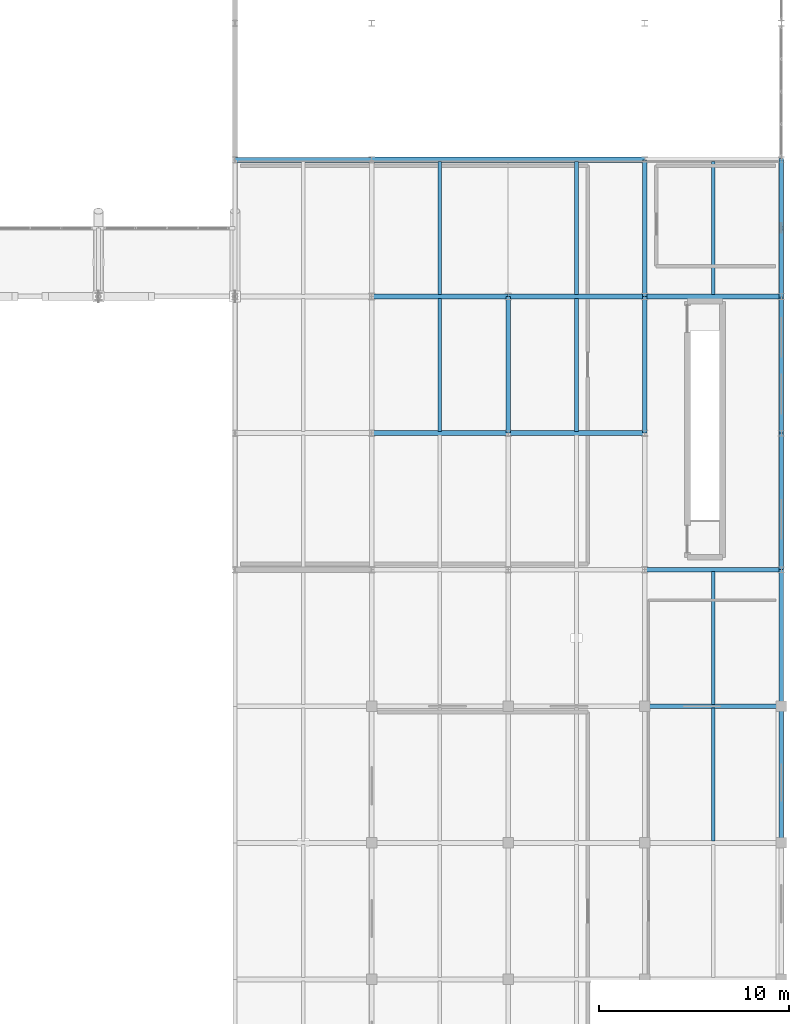
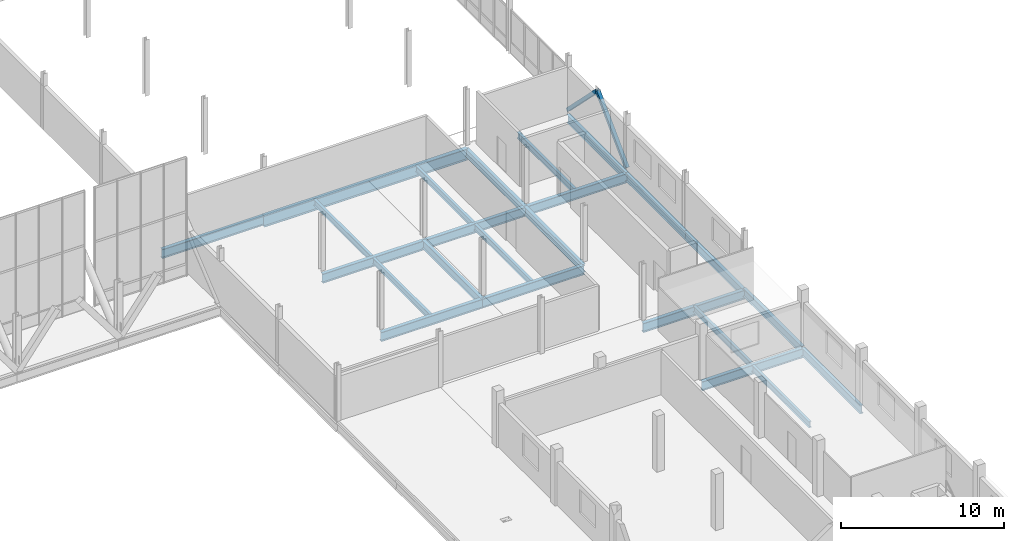
# One storey, part 55 of 102: 24 beams, 2 members.
"""IFC4 building model written with IfcOpenShell, lengths in metres."""

from ifc_helpers import new_model, si_unit, direction, frame, origin, origin_2d, place, context, subcontext, project, spatial, hollow_rectangle, i_section, extrude, material, material_profile, profile_set, type_object, element, save


model = new_model("IFC4")

# Units and contexts
model_context = context("Model", 3, precision=1e-05, world=origin(), true_north=direction((0.0, 1.0)))
body_context = subcontext(model_context, "Body", "Model", "MODEL_VIEW")
ifc_project = project(units=[si_unit("LENGTHUNIT", "METRE"), si_unit("AREAUNIT", "SQUARE_METRE"), si_unit("VOLUMEUNIT", "CUBIC_METRE"), si_unit("PLANEANGLEUNIT", "RADIAN"), si_unit("MASSUNIT", "GRAM", prefix="KILO")], contexts=[model_context])

# Site, building, storey
site_placement = place(None, origin())
site = spatial("IfcSite", under=ifc_project, at=site_placement, CompositionType="ELEMENT")
building_placement = place(site_placement, origin())
building = spatial("IfcBuilding", under=site, at=building_placement, Name="Yarey Park Central Fire Station", CompositionType="ELEMENT")
storey_placement = place(building_placement, frame((0.0, 0.0, 6.0)))
storey = spatial("IfcBuildingStorey", under=building, at=storey_placement, Name="L02", CompositionType="ELEMENT", Elevation=6.0)

# Beams
ifc_material_1 = material(Name="Steel ASTM A992 Gr. 50", Category="steel")
ifc_material_profile_1 = material_profile(ifc_material_1, i_section(OverallWidth=0.22900390625, OverallDepth=0.612060546875, WebThickness=0.011962890625, FlangeThickness=0.01953125, at=origin_2d()), Name="W610x125")
ifc_profile_set_1 = profile_set([ifc_material_profile_1], Name="Steel ASTM A992 Gr. 50")
beam_type_1 = type_object("IfcBeamType", Name="STR_BM_W610", PredefinedType="BEAM", material=ifc_profile_set_1)
for number, where, z_axis, x_axis, name in (
    (1, (151.199951171875, 50.39990234375, -0.591064453125), (0.0, 1.0, 0.0), (-1.0, 0.0, 0.0), "BMY L02 X1512 Y504"),
    (2, (158.39990234375, 50.39990234375, -0.591064453125), (0.0, 1.0, 0.0), (-1.0, 0.0, 0.0), "BMY L02 X1584 Y504"),
):
    element("IfcBeam", number, at=place(storey_placement, frame(where, z_axis=z_axis, x_axis=x_axis)), inside=storey, type_object=beam_type_1, Name=name, PredefinedType="BEAM", context=body_context, shape_type="SweptSolid", body=[
        extrude(i_section(OverallWidth=0.22900390625, OverallDepth=0.612060546875, WebThickness=0.011962890625, FlangeThickness=0.01953125, at=origin_2d()), origin(), (0.0, 0.0, 1.0), 7.2001953125),
    ])
for number, where, z_axis, x_axis, name in (
    (3, (158.39990234375, 57.60009765625, -0.591064453125), (0.0, 1.0, 0.0), (-1.0, 0.0, 0.0), "BMY L02 X1584 Y576"),
    (4, (165.60009765625, 28.800048828125, -0.591064453125), (0.0, 1.0, 0.0), (-1.0, 0.0, 0.0), "BMY L02 X1656 Y288"),
    (5, (165.60009765625, 36.0, -0.5009765625), (0.0, 1.0, 0.0), (-1.0, 0.0, 0.0), "BMY L02 X1656 Y360"),
    (6, (165.60009765625, 43.199951171875, -0.591064453125), (0.0, 1.0, 0.0), (-1.0, 0.0, 0.0), "BMY L02 X1656 Y432"),
):
    element("IfcBeam", number, at=place(storey_placement, frame(where, z_axis=z_axis, x_axis=x_axis)), inside=storey, type_object=beam_type_1, Name=name, PredefinedType="BEAM", context=body_context, shape_type="SweptSolid", body=[
        extrude(i_section(OverallWidth=0.22900390625, OverallDepth=0.612060546875, WebThickness=0.011962890625, FlangeThickness=0.01953125, at=origin_2d()), origin(), (0.0, 0.0, 1.0), 7.199951171875),
    ])
beam_1_placement = place(storey_placement, frame((165.60009765625, 50.39990234375, -0.591064453125), z_axis=(0.0, 1.0, 0.0), x_axis=(-1.0, 0.0, 0.0)))
element("IfcBeam", 7, at=beam_1_placement, inside=storey, type_object=beam_type_1, Name="BMY L02 X1656 Y504", PredefinedType="BEAM", context=body_context, shape_type="SweptSolid", body=[
    extrude(i_section(OverallWidth=0.22900390625, OverallDepth=0.612060546875, WebThickness=0.011962890625, FlangeThickness=0.01953125, at=origin_2d()), origin(), (0.0, 0.0, 1.0), 7.2001953125),
])
beam_2_placement = place(storey_placement, frame((165.60009765625, 57.60009765625, -0.591064453125), z_axis=(0.0, 1.0, 0.0), x_axis=(-1.0, 0.0, 0.0)))
element("IfcBeam", 8, at=beam_2_placement, inside=storey, type_object=beam_type_1, Name="BMY L02 X1656 Y576", PredefinedType="BEAM", context=body_context, shape_type="SweptSolid", body=[
    extrude(i_section(OverallWidth=0.22900390625, OverallDepth=0.612060546875, WebThickness=0.011962890625, FlangeThickness=0.01953125, at=origin_2d()), origin(), (0.0, 0.0, 1.0), 7.199951171875),
])
ifc_material_profile_2 = material_profile(ifc_material_1, i_section(OverallWidth=0.256103515625, OverallDepth=0.693115234375, WebThickness=0.014404296875, FlangeThickness=0.023681640625, at=origin_2d()), Name="W690x170")
ifc_profile_set_2 = profile_set([ifc_material_profile_2], Name="Steel ASTM A992 Gr. 50")
beam_type_2 = type_object("IfcBeamType", Name="STR_BM_W690", PredefinedType="BEAM", material=ifc_profile_set_2)
for number, where, z_axis, x_axis, name in (
    (9, (158.39990234375, 36.0, -0.631591796875), (1.0, 0.0, 0.0), (0.0, 1.0, 0.0), "BMX L02 Y360 X1584"),
    (10, (158.39990234375, 43.199951171875, -0.631591796875), (1.0, 0.0, 0.0), (0.0, 1.0, 0.0), "BMX L02 Y432 X1584"),
):
    element("IfcBeam", number, at=place(storey_placement, frame(where, z_axis=z_axis, x_axis=x_axis)), inside=storey, type_object=beam_type_2, Name=name, PredefinedType="BEAM", context=body_context, shape_type="SweptSolid", body=[
        extrude(i_section(OverallWidth=0.256103515625, OverallDepth=0.693115234375, WebThickness=0.014404296875, FlangeThickness=0.023681640625, at=origin_2d()), origin(), (0.0, 0.0, 1.0), 7.2001953125),
    ])
for number, where, z_axis, x_axis, name in (
    (11, (144.0, 50.39990234375, -0.631591796875), (1.0, 0.0, 0.0), (0.0, 1.0, 0.0), "BMX L02 Y504 X1440"),
    (12, (151.199951171875, 50.39990234375, -0.631591796875), (1.0, 0.0, 0.0), (0.0, 1.0, 0.0), "BMX L02 Y504 X1512"),
    (13, (144.0, 57.60009765625, -0.631591796875), (1.0, 0.0, 0.0), (0.0, 1.0, 0.0), "BMX L02 Y576 X1440"),
    (14, (151.199951171875, 57.60009765625, -0.631591796875), (1.0, 0.0, 0.0), (0.0, 1.0, 0.0), "BMX L02 Y576 X1512"),
):
    element("IfcBeam", number, at=place(storey_placement, frame(where, z_axis=z_axis, x_axis=x_axis)), inside=storey, type_object=beam_type_2, Name=name, PredefinedType="BEAM", context=body_context, shape_type="SweptSolid", body=[
        extrude(i_section(OverallWidth=0.256103515625, OverallDepth=0.693115234375, WebThickness=0.014404296875, FlangeThickness=0.023681640625, at=origin_2d()), origin(), (0.0, 0.0, 1.0), 7.199951171875),
    ])
beam_3_placement = place(storey_placement, frame((158.39990234375, 57.60009765625, -0.631591796875), z_axis=(1.0, 0.0, 0.0), x_axis=(0.0, 1.0, 0.0)))
element("IfcBeam", 15, at=beam_3_placement, inside=storey, type_object=beam_type_2, Name="BMX L02 Y576 X1584", PredefinedType="BEAM", context=body_context, shape_type="SweptSolid", body=[
    extrude(i_section(OverallWidth=0.256103515625, OverallDepth=0.693115234375, WebThickness=0.014404296875, FlangeThickness=0.023681640625, at=origin_2d()), origin(), (0.0, 0.0, 1.0), 7.2001953125),
])
beam_4_placement = place(storey_placement, frame((136.800048828125, 64.800048828125, -0.631591796875), z_axis=(1.0, 0.0, 0.0), x_axis=(0.0, 1.0, 0.0)))
element("IfcBeam", 16, at=beam_4_placement, inside=storey, type_object=beam_type_2, Name="BMX L02 Y648 X1368", PredefinedType="BEAM", context=body_context, shape_type="SweptSolid", body=[
    extrude(i_section(OverallWidth=0.256103515625, OverallDepth=0.693115234375, WebThickness=0.014404296875, FlangeThickness=0.023681640625, at=origin_2d()), origin(), (0.0, 0.0, 1.0), 7.199951171875),
])
ifc_material_profile_3 = material_profile(ifc_material_1, i_section(OverallWidth=0.2939453125, OverallDepth=0.85107421875, WebThickness=0.01611328125, FlangeThickness=0.02685546875, at=origin_2d()), Name="W840x226")
ifc_profile_set_3 = profile_set([ifc_material_profile_3], Name="Steel ASTM A992 Gr. 50")
beam_type_3 = type_object("IfcBeamType", Name="STR_BM_W840", PredefinedType="BEAM", material=ifc_profile_set_3)
beam_5_placement = place(storey_placement, frame((144.0, 64.800048828125, -0.71044921875), z_axis=(1.0, 0.0, 0.0), x_axis=(0.0, 1.0, 0.0)))
element("IfcBeam", 17, at=beam_5_placement, inside=storey, type_object=beam_type_3, Name="BMX L02 Y648 X1440", PredefinedType="BEAM", context=body_context, shape_type="SweptSolid", body=[
    extrude(i_section(OverallWidth=0.2939453125, OverallDepth=0.85107421875, WebThickness=0.01611328125, FlangeThickness=0.02685546875, at=origin_2d()), origin(), (0.0, 0.0, 1.0), 14.39990234375),
])

# Members
ifc_material_2 = material(Name="Steel ASTM A500 Gr. C", Category="steel")
ifc_material_profile_4 = material_profile(ifc_material_2, hollow_rectangle(XDim=0.25, YDim=0.25, WallThickness=0.012451171875, at=origin_2d()), Name="HSS 250x250x12.5")
ifc_profile_set_4 = profile_set([ifc_material_profile_4], Name="Steel ASTM A500 Gr. C")
member_type = type_object("IfcMemberType", Name="STR_CBF_HSS250", PredefinedType="BRACE", material=ifc_profile_set_4)
for number, where, z_axis, x_axis, name in (
    (18, (165.60009765625, 57.60009765625, 0.050048828125), (0.0, 0.707106781187, 0.707106781187), (-1.0, 0.0, 0.0), "CBF_V5_L02_57_1"),
    (19, (165.60009765625, 64.800048828125, 0.050048828125), (0.0, -0.707130757816, 0.707082803744), (1.0, 0.0, 0.0), "CBF_V5_L02_57_2"),
):
    element("IfcMember", number, at=place(storey_placement, frame(where, z_axis=z_axis, x_axis=x_axis)), inside=storey, type_object=member_type, Name=name, PredefinedType="BRACE", context=body_context, shape_type="SweptSolid", body=[
        extrude(hollow_rectangle(XDim=0.25, YDim=0.25, WallThickness=0.012451171875, at=origin_2d()), origin(), (0.0, 0.0, 1.0), 5.091064453125),
    ])

# Beams
ifc_material_profile_5 = material_profile(ifc_material_1, i_section(OverallWidth=0.18994140625, OverallDepth=0.45703125, WebThickness=0.009033203125, FlangeThickness=0.014404296875, at=origin_2d()), Name="W460x74")
ifc_profile_set_5 = profile_set([ifc_material_profile_5], Name="Steel ASTM A992 Gr. 50")
beam_type_4 = type_object("IfcBeamType", Name="STR_JST_W460", PredefinedType="JOIST", material=ifc_profile_set_5)
beam_6_placement = place(storey_placement, frame((147.60009765625, 50.4951171875, -0.513427734375), z_axis=(0.0, 1.0, 0.0), x_axis=(-1.0, 0.0, 0.0)))
element("IfcBeam", 20, at=beam_6_placement, inside=storey, type_object=beam_type_4, Name="JST L02 X1476 Y504", PredefinedType="JOIST", context=body_context, shape_type="SweptSolid", body=[
    extrude(i_section(OverallWidth=0.18994140625, OverallDepth=0.45703125, WebThickness=0.009033203125, FlangeThickness=0.014404296875, at=origin_2d()), origin(), (0.0, 0.0, 1.0), 7.009765625),
])
beam_7_placement = place(storey_placement, frame((147.60009765625, 57.695068359375, -0.513427734375), z_axis=(0.0, 1.0, 0.0), x_axis=(-1.0, 0.0, 0.0)))
element("IfcBeam", 21, at=beam_7_placement, inside=storey, type_object=beam_type_4, Name="JST L02 X1476 Y576", PredefinedType="JOIST", context=body_context, shape_type="SweptSolid", body=[
    extrude(i_section(OverallWidth=0.18994140625, OverallDepth=0.45703125, WebThickness=0.009033203125, FlangeThickness=0.014404296875, at=origin_2d()), origin(), (0.0, 0.0, 1.0), 7.010009765625),
])
beam_8_placement = place(storey_placement, frame((154.800048828125, 50.4951171875, -0.513427734375), z_axis=(0.0, 1.0, 0.0), x_axis=(-1.0, 0.0, 0.0)))
element("IfcBeam", 22, at=beam_8_placement, inside=storey, type_object=beam_type_4, Name="JST L02 X1548 Y504", PredefinedType="JOIST", context=body_context, shape_type="SweptSolid", body=[
    extrude(i_section(OverallWidth=0.18994140625, OverallDepth=0.45703125, WebThickness=0.009033203125, FlangeThickness=0.014404296875, at=origin_2d()), origin(), (0.0, 0.0, 1.0), 7.009765625),
])
for number, where, z_axis, x_axis, name in (
    (23, (154.800048828125, 57.695068359375, -0.513427734375), (0.0, 1.0, 0.0), (-1.0, 0.0, 0.0), "JST L02 X1548 Y576"),
    (24, (162.0, 28.89501953125, -0.513427734375), (0.0, 1.0, 0.0), (-1.0, 0.0, 0.0), "JST L02 X1620 Y288"),
    (25, (162.0, 36.094970703125, -0.423583984375), (0.0, 1.0, 0.0), (-1.0, 0.0, 0.0), "JST L02 X1620 Y360"),
    (26, (162.0, 57.695068359375, -0.513427734375), (0.0, 1.0, 0.0), (-1.0, 0.0, 0.0), "JST L02 X1620 Y576"),
):
    element("IfcBeam", number, at=place(storey_placement, frame(where, z_axis=z_axis, x_axis=x_axis)), inside=storey, type_object=beam_type_4, Name=name, PredefinedType="JOIST", context=body_context, shape_type="SweptSolid", body=[
        extrude(i_section(OverallWidth=0.18994140625, OverallDepth=0.45703125, WebThickness=0.009033203125, FlangeThickness=0.014404296875, at=origin_2d()), origin(), (0.0, 0.0, 1.0), 7.010009765625),
    ])

save(model, "model.ifc")
